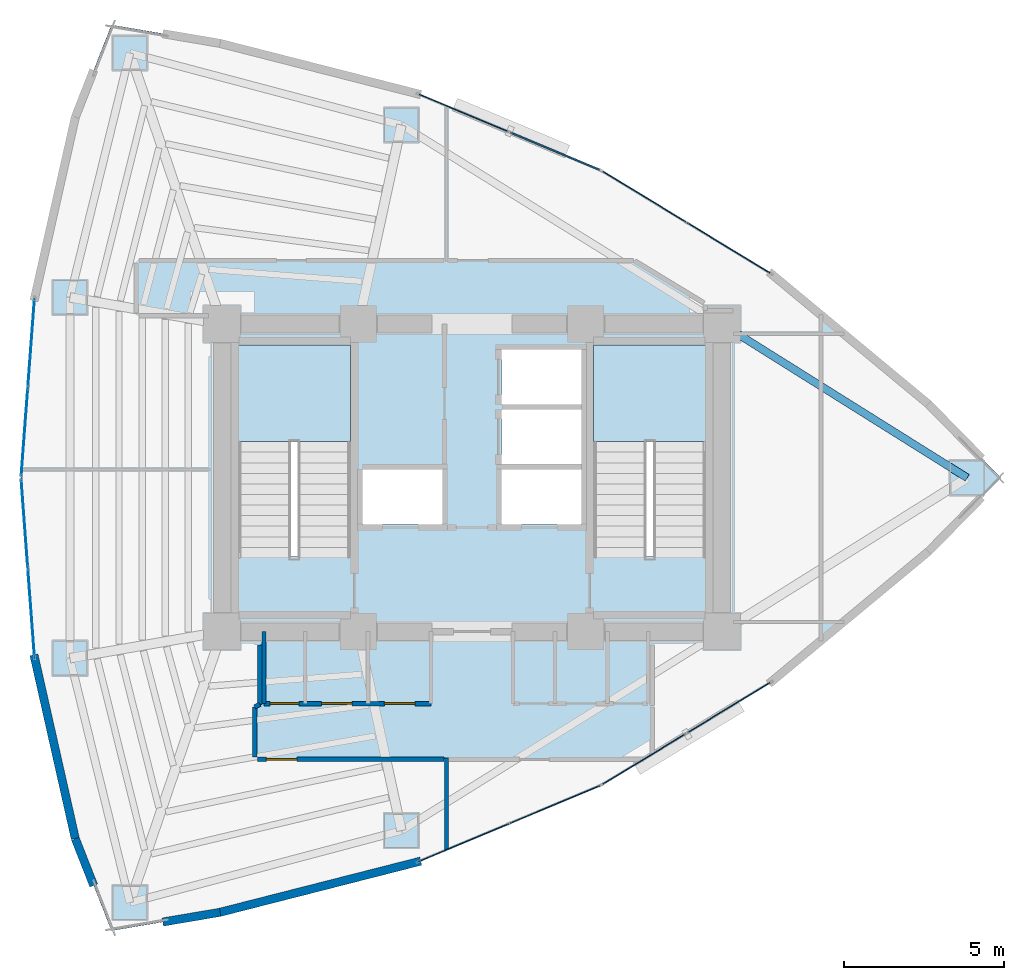
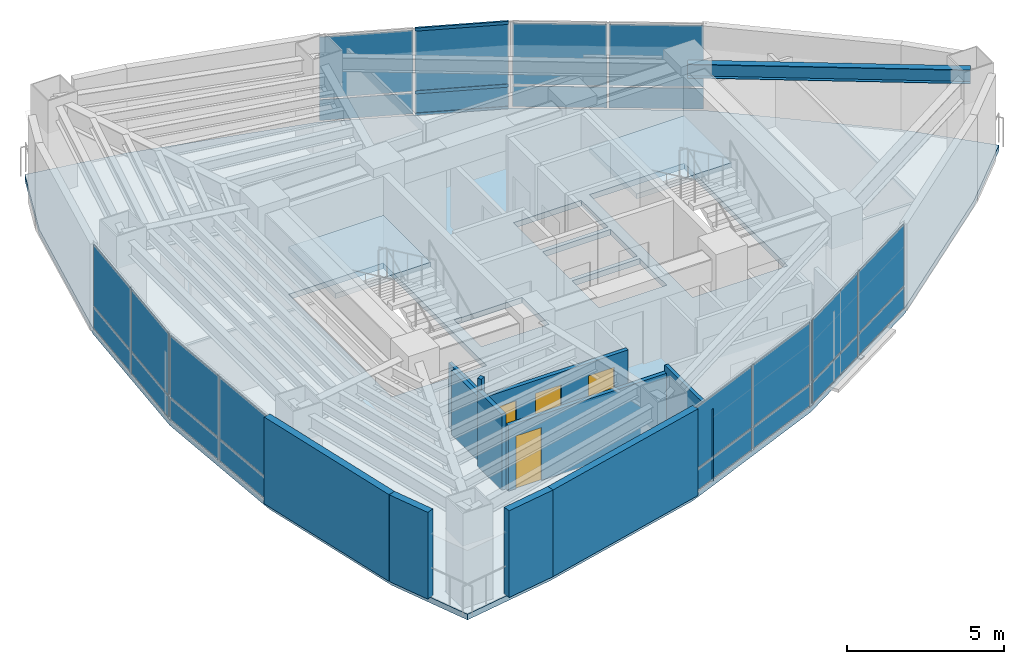
# One storey, part 10 of 15: 24 plates, 11 walls, 4 doors, 3 members, 3 slabs, 1 beam, 4 openings, 8 elements without a shape of their own.
"""IFC4 building model written with IfcOpenShell, lengths in metres."""

import ifcopenshell
import ifcopenshell.guid

model = None  # the IFC model being written
_history = None  # IfcOwnerHistory: only IFC2X3 demands one
_inside = {}  # id of a spatial element -> (the spatial element, [elements in it])
_under = {}  # id of a project, library or spatial element -> (it, [spatial elements below it])
_declared = {}  # id of a project -> (the project, [libraries it declares])
_typed = {}  # id of a type object -> (the type object, [elements of that type])
_made_of = {}  # id of a material, layer set ... -> (it, [elements and type objects made of it])


def new_model(schema):
    """Start an empty IFC model of exactly this schema.

    Asked for "IFC4X3", IfcOpenShell would pick the latest addendum, in which some entities
    have other attributes; the version numbers below select the first issue.
    IFC2X3 requires an IfcOwnerHistory on every rooted entity: one is made here for all.
    """
    global model, _history
    if schema == "IFC4X3":
        model = ifcopenshell.file(schema_version=(4, 3, 0, 0))
    else:
        model = ifcopenshell.file(schema=schema)
    _inside.clear()
    _under.clear()
    _declared.clear()
    _typed.clear()
    _made_of.clear()
    _history = None
    if model.schema == "IFC2X3":
        org = make("IfcOrganization", Name="unknown")
        user = make(
            "IfcPersonAndOrganization",
            ThePerson=make("IfcPerson", FamilyName="unknown"),
            TheOrganization=org,
        )
        app = make(
            "IfcApplication",
            ApplicationDeveloper=org,
            Version="unknown",
            ApplicationFullName="unknown",
            ApplicationIdentifier="unknown",
        )
        _history = make(
            "IfcOwnerHistory",
            OwningUser=user,
            OwningApplication=app,
            ChangeAction="ADDED",
            CreationDate=0,
        )
    return model


def make(cls, **values):
    """One entity of the class cls with the attributes given. An attribute that is None is left unset."""
    return model.create_entity(
        cls, **{name: value for name, value in values.items() if value is not None}
    )


def rooted(cls, **values):
    """An entity with a GlobalId (a new one), such as an element, a storey or a relation."""
    return make(cls, GlobalId=ifcopenshell.guid.new(), OwnerHistory=_history, **values)


def si_unit(unit_type, name, prefix=None):
    """IfcSIUnit, for example si_unit("LENGTHUNIT", "METRE", prefix="MILLI")."""
    return make("IfcSIUnit", UnitType=unit_type, Prefix=prefix, Name=name)


def assignment(units):
    """IfcUnitAssignment: the units of a project."""
    return None if units is None else make("IfcUnitAssignment", Units=units)


def point(xyz):
    """IfcCartesianPoint."""
    return None if xyz is None else make("IfcCartesianPoint", Coordinates=xyz)


def direction(xyz):
    """IfcDirection."""
    return None if xyz is None else make("IfcDirection", DirectionRatios=xyz)


def frame(location, z_axis=None, x_axis=None):
    """IfcAxis2Placement3D, a coordinate frame: its origin and axes. An axis left out is left unset."""
    return make(
        "IfcAxis2Placement3D",
        Location=point(location),
        Axis=direction(z_axis),
        RefDirection=direction(x_axis),
    )


def frame_2d(location, x_axis=None):
    """IfcAxis2Placement2D, a coordinate frame in the plane: its origin and x axis."""
    return make(
        "IfcAxis2Placement2D", Location=point(location), RefDirection=direction(x_axis)
    )


def origin():
    """The frame at (0, 0, 0) with its axes left unset."""
    return frame((0.0, 0.0, 0.0))


def origin_2d():
    """The frame at (0, 0) in the plane with its x axis left unset."""
    return frame_2d((0.0, 0.0))


def place(relative_to, where):
    """IfcLocalPlacement: puts the frame where relative to a parent placement (None: the world)."""
    return make(
        "IfcLocalPlacement", PlacementRelTo=relative_to, RelativePlacement=where
    )


def context(
    kind, dimensions, precision=None, world=None, true_north=None, identifier=None
):
    """IfcGeometricRepresentationContext, for example the 3D "Model" context."""
    return make(
        "IfcGeometricRepresentationContext",
        ContextIdentifier=identifier,
        ContextType=kind,
        CoordinateSpaceDimension=dimensions,
        Precision=precision,
        WorldCoordinateSystem=world,
        TrueNorth=true_north,
    )


def subcontext(parent, identifier, kind, view, scale=None):
    """IfcGeometricRepresentationSubContext, for example "Body" below "Model"."""
    return make(
        "IfcGeometricRepresentationSubContext",
        ContextIdentifier=identifier,
        ContextType=kind,
        ParentContext=parent,
        TargetScale=scale,
        TargetView=view,
    )


def project(units=None, contexts=None):
    """IfcProject with its units and contexts."""
    return rooted(
        "IfcProject",
        Name="project",
        RepresentationContexts=contexts,
        UnitsInContext=assignment(units),
    )


def spatial(cls, under=None, at=None, **own):
    """A site, building, storey or space (cls), placed at a placement, below another one or the project."""
    s = rooted(cls, ObjectPlacement=at, **own)
    if under is not None:
        _under.setdefault(under.id(), (under, []))[1].append(s)
    return s


def polyline(points):
    """IfcPolyline through the points."""
    return make("IfcPolyline", Points=[point(p) for p in points])


def profile(cls, at=None, kind="AREA", **sizes):
    """A parametric profile (cls). Its sizes go by their IFC names, for example OverallWidth=200.0."""
    return make(cls, ProfileType=kind, Position=at, **sizes)


def rectangle(**sizes):
    """IfcRectangleProfileDef."""
    return profile("IfcRectangleProfileDef", **sizes)


def hollow_rectangle(**sizes):
    """IfcRectangleHollowProfileDef."""
    return profile("IfcRectangleHollowProfileDef", **sizes)


def i_section(**sizes):
    """IfcIShapeProfileDef."""
    return profile("IfcIShapeProfileDef", **sizes)


def outline(outer, holes=None, kind="AREA"):
    """IfcArbitraryClosedProfileDef: a profile drawn as a closed curve; with holes, ...WithVoids."""
    if holes is None:
        return make("IfcArbitraryClosedProfileDef", ProfileType=kind, OuterCurve=outer)
    return make(
        "IfcArbitraryProfileDefWithVoids",
        ProfileType=kind,
        OuterCurve=outer,
        InnerCurves=holes,
    )


def extrude(swept, where, along, depth):
    """IfcExtrudedAreaSolid: the profile swept, set in the frame where, extruded along a direction by depth."""
    return make(
        "IfcExtrudedAreaSolid",
        SweptArea=swept,
        Position=where,
        ExtrudedDirection=direction(along),
        Depth=depth,
    )


def shape(context_of_items, identifier, shape_type, items):
    """IfcShapeRepresentation: the items that make up one representation, for example the "Body"."""
    return make(
        "IfcShapeRepresentation",
        ContextOfItems=context_of_items,
        RepresentationIdentifier=identifier,
        RepresentationType=shape_type,
        Items=items,
    )


def material(Name=None, Category=None):
    """IfcMaterial."""
    return make("IfcMaterial", Name=Name, Category=Category)


def layer(
    of_material, thickness, ventilated=None, Name=None, Category=None, Priority=None
):
    """IfcMaterialLayer: one layer of a wall or slab, of a material (None: an air gap)."""
    return make(
        "IfcMaterialLayer",
        Material=of_material,
        LayerThickness=thickness,
        IsVentilated=ventilated,
        Name=Name,
        Category=Category,
        Priority=Priority,
    )


def layer_set(layers, Name=None):
    """IfcMaterialLayerSet."""
    return make("IfcMaterialLayerSet", MaterialLayers=layers, LayerSetName=Name)


def material_profile(
    of_material, cross_section, Name=None, Category=None, Priority=None
):
    """IfcMaterialProfile: a cross section and its material."""
    return make(
        "IfcMaterialProfile",
        Name=Name,
        Material=of_material,
        Profile=cross_section,
        Priority=Priority,
        Category=Category,
    )


def profile_set(profiles, Name=None, composite=None):
    """IfcMaterialProfileSet."""
    return make(
        "IfcMaterialProfileSet",
        Name=Name,
        MaterialProfiles=profiles,
        CompositeProfile=composite,
    )


def made_of(thing, what):
    """Note that an element or type object is made of a material, layer set ...; save() writes the relation."""
    if what is not None:
        _made_of.setdefault(what.id(), (what, []))[1].append(thing)
    return thing


def type_object(cls, material=None, **own):
    """A type object (cls), such as IfcWallType, which elements share."""
    return made_of(rooted(cls, **own), material)


def element(
    cls,
    number,
    at=None,
    inside=None,
    cuts=None,
    type_object=None,
    material=None,
    context=None,
    identifier="Body",
    shape_type=None,
    held_by="IfcProductDefinitionShape",
    body=None,
    shapes=None,
    **own,
):
    """One element of the class cls, such as IfcWall. Its Tag is "e" and its number.

    at: its placement. inside: the storey or other place that contains it. cuts: it is an
    opening in that element (IfcRelVoidsElement). A single representation is given by context,
    identifier, shape_type and body (its items); several are given by shapes. held_by: the class
    of the entity that holds the representations. save() writes the other relations.
    """
    e = rooted(cls, Tag="e%d" % number, ObjectPlacement=at, **own)
    if body is not None:
        shapes = [shape(context, identifier, shape_type, body)]
    if shapes is not None:
        e.Representation = make(held_by, Representations=shapes)
    if inside is not None:
        _inside.setdefault(inside.id(), (inside, []))[1].append(e)
    if cuts is not None:
        rooted(
            "IfcRelVoidsElement", RelatingBuildingElement=cuts, RelatedOpeningElement=e
        )
    if type_object is not None:
        _typed.setdefault(type_object.id(), (type_object, []))[1].append(e)
    return made_of(e, material)


def fill(opening, filler):
    """IfcRelFillsElement: the door or window that sits in an opening."""
    return rooted(
        "IfcRelFillsElement",
        RelatingOpeningElement=opening,
        RelatedBuildingElement=filler,
    )


def aggregate(whole, parts):
    """IfcRelAggregates: a whole, such as a stair, and the parts it consists of."""
    return rooted("IfcRelAggregates", RelatingObject=whole, RelatedObjects=parts)


def save(model, path):
    """Write the relations noted so far, then the file.

    IfcRelAggregates (storeys below a building ...), IfcRelContainedInSpatialStructure (elements
    in a storey), IfcRelDefinesByType, IfcRelAssociatesMaterial and IfcRelDeclares: one each for
    every whole, place, type object, material and project.
    """
    for whole, parts in _under.values():
        aggregate(whole, parts)
    for where, things in _inside.values():
        rooted(
            "IfcRelContainedInSpatialStructure",
            RelatedElements=things,
            RelatingStructure=where,
        )
    for kind, things in _typed.values():
        rooted("IfcRelDefinesByType", RelatedObjects=things, RelatingType=kind)
    for what, things in _made_of.values():
        rooted("IfcRelAssociatesMaterial", RelatedObjects=things, RelatingMaterial=what)
    for by, libraries in _declared.values():
        rooted("IfcRelDeclares", RelatingContext=by, RelatedDefinitions=libraries)
    model.write(path)


model = new_model("IFC4")

# Units and contexts
model_context = context("Model", 3, precision=1e-05, world=origin(), true_north=direction((0.0, 1.0)))
body_context = subcontext(model_context, "Body", "Model", "MODEL_VIEW")
ifc_project = project(units=[si_unit("LENGTHUNIT", "METRE"), si_unit("AREAUNIT", "SQUARE_METRE"), si_unit("VOLUMEUNIT", "CUBIC_METRE"), si_unit("PLANEANGLEUNIT", "RADIAN"), si_unit("MASSUNIT", "GRAM", prefix="KILO")], contexts=[model_context])

# Site, building, storey
site_placement = place(None, origin())
site = spatial("IfcSite", under=ifc_project, at=site_placement, CompositionType="ELEMENT")
building_placement = place(site_placement, origin())
building = spatial("IfcBuilding", under=site, at=building_placement, Name="Menara Vayukalpa", CompositionType="ELEMENT")
storey_placement = place(building_placement, frame((0.0, 0.0, 144.89990234375)))
storey = spatial("IfcBuildingStorey", under=building, at=storey_placement, Name="L36", CompositionType="ELEMENT", Elevation=144.89990234375)

# Beam
ifc_material_1 = material(Name="Steel S355", Category="steel")
ifc_material_profile_1 = material_profile(ifc_material_1, i_section(OverallWidth=0.239990234375, OverallDepth=0.550048828125, WebThickness=0.010986328125, FlangeThickness=0.01904296875, at=origin_2d()), Name="WF 550x240x11x19")
ifc_profile_set_1 = profile_set([ifc_material_profile_1], Name="Steel S355")
beam_type = type_object("IfcBeamType", Name="BM-SP2", PredefinedType="SPANDREL", material=ifc_profile_set_1)
beam_placement = place(storey_placement, frame((41.05908203125, 22.0, 3.10498046875), z_axis=(-0.847348220701, 0.531037656739, 0.0), x_axis=(-0.531037656739, -0.847348220701, 0.0)))
element("IfcBeam", 1, at=beam_placement, inside=storey, type_object=beam_type, Name="L36 Perimeter Spandrel Beam SP01", PredefinedType="SPANDREL", context=body_context, shape_type="SweptSolid", body=[
    extrude(i_section(OverallWidth=0.239990234375, OverallDepth=0.550048828125, WebThickness=0.010986328125, FlangeThickness=0.01904296875, at=origin_2d()), origin(), (0.0, 0.0, 1.0), 9.0390625),
])

# Curtain wall, members
ifc_material_2 = material(Name="Anodised Terracotta Aluminium Alloy 6063-T6", Category="masonry")
ifc_layer_1 = layer(ifc_material_2, 0.14990234375)
ifc_layer_set_1 = layer_set([ifc_layer_1], Name="Anodised Terracotta Aluminium Alloy 6063-T6")
curtain_wall_type = type_object("IfcCurtainWallType", Name="CW-CW3", PredefinedType="USERDEFINED", material=ifc_layer_set_1)
curtain_wall_1_placement = place(storey_placement, origin())
curtain_wall_1 = element("IfcCurtainWall", 2, at=curtain_wall_1_placement, inside=storey, type_object=curtain_wall_type, Name="L36 Mid Rise Terracotta Ribbon Curtain Wall CW3 05", ObjectType="UNITISED", PredefinedType="USERDEFINED")
ifc_material_3 = material(Name="Anodised Terracotta Aluminium Alloy 6063-T6", Category="masonry")
ifc_material_profile_2 = material_profile(ifc_material_3, hollow_rectangle(XDim=0.06494140625, YDim=0.1201171875, WallThickness=0.00341796875, at=origin_2d()), Name="ALU 65x120x3.5")
ifc_profile_set_2 = profile_set([ifc_material_profile_2], Name="Anodised Terracotta Aluminium Alloy 6063-T6")
member_type = type_object("IfcMemberType", Name="CWT-CW3", PredefinedType="USERDEFINED", material=ifc_profile_set_2)
member_1_placement = place(storey_placement, frame((29.57666015625, 31.615966796875, 0.03271484375), z_axis=(-0.922529540739, 0.385926478054, 0.0), x_axis=(-0.385926478054, -0.922529540739, 0.0)))
member_1 = element("IfcMember", 3, at=member_1_placement, type_object=member_type, Name="CW3 transom 1.1", ObjectType="TRANSOM", PredefinedType="USERDEFINED", context=body_context, shape_type="SweptSolid", body=[
    extrude(hollow_rectangle(XDim=0.06494140625, YDim=0.1201171875, WallThickness=0.00341796875, at=origin_2d()), origin(), (0.0, 0.0, 1.0), 3.013671875),
])
member_2_placement = place(storey_placement, frame((29.57666015625, 31.615966796875, 0.900146484375), z_axis=(-0.922529540739, 0.385926478054, 0.0), x_axis=(-0.385926478054, -0.922529540739, 0.0)))
member_2 = element("IfcMember", 4, at=member_2_placement, type_object=member_type, Name="CW3 transom 1.2", ObjectType="TRANSOM", PredefinedType="USERDEFINED", context=body_context, shape_type="SweptSolid", body=[
    extrude(hollow_rectangle(XDim=0.06494140625, YDim=0.1201171875, WallThickness=0.00341796875, at=origin_2d()), origin(), (0.0, 0.0, 1.0), 3.013671875),
])
member_3_placement = place(storey_placement, frame((29.57666015625, 31.615966796875, 3.34765625), z_axis=(-0.922529540739, 0.385926478054, 0.0), x_axis=(-0.385926478054, -0.922529540739, 0.0)))
member_3 = element("IfcMember", 5, at=member_3_placement, type_object=member_type, Name="CW3 transom 1.3", ObjectType="TRANSOM", PredefinedType="USERDEFINED", context=body_context, shape_type="SweptSolid", body=[
    extrude(hollow_rectangle(XDim=0.06494140625, YDim=0.1201171875, WallThickness=0.00341796875, at=origin_2d()), origin(), (0.0, 0.0, 1.0), 3.013671875),
])

# Curtain wall, plates
curtain_wall_2_placement = place(storey_placement, origin())
curtain_wall_2 = element("IfcCurtainWall", 6, at=curtain_wall_2_placement, inside=storey, type_object=curtain_wall_type, Name="L36 Mid Rise Terracotta Ribbon Curtain Wall CW3 04", ObjectType="UNITISED", PredefinedType="USERDEFINED")
ifc_material_4 = material(Name="Low-E Double Glazing", Category="glass")
ifc_layer_2 = layer(ifc_material_4, 0.030029296875)
ifc_layer_set_2 = layer_set([ifc_layer_2], Name="Low-E Double Glazing")
plate_type = type_object("IfcPlateType", Name="CWP-CW3", PredefinedType="CURTAIN_PANEL", material=ifc_layer_set_2)
plate_1_placement = place(storey_placement, frame((33.611328125, 29.176513671875, 0.06494140625), z_axis=(0.0, 0.0, 1.0), x_axis=(-0.854655342409, 0.519195768176, 0.0)))
plate_1 = element("IfcPlate", 7, at=plate_1_placement, type_object=plate_type, Name="CW3 panel 1.1", PredefinedType="CURTAIN_PANEL", context=body_context, shape_type="SweptSolid", body=[
    extrude(rectangle(XDim=3.013671875, YDim=0.030029296875, at=origin_2d()), origin(), (0.0, 0.0, 1.0), 0.802490234375),
])
plate_2_placement = place(storey_placement, frame((33.611328125, 29.176513671875, 0.9326171875), z_axis=(0.0, 0.0, 1.0), x_axis=(-0.854655342409, 0.519195768176, 0.0)))
plate_2 = element("IfcPlate", 8, at=plate_2_placement, type_object=plate_type, Name="CW3 panel 1.2", PredefinedType="CURTAIN_PANEL", context=body_context, shape_type="SweptSolid", body=[
    extrude(rectangle(XDim=3.013671875, YDim=0.030029296875, at=origin_2d()), origin(), (0.0, 0.0, 1.0), 2.382568359375),
])
plate_3_placement = place(storey_placement, frame((30.980224609375, 30.77490234375, 0.06494140625), z_axis=(0.0, 0.0, 1.0), x_axis=(-0.854655342409, 0.519195768176, 0.0)))
plate_3 = element("IfcPlate", 9, at=plate_3_placement, type_object=plate_type, Name="CW3 panel 2.1", PredefinedType="CURTAIN_PANEL", context=body_context, shape_type="SweptSolid", body=[
    extrude(rectangle(XDim=3.013671875, YDim=0.030029296875, at=origin_2d()), origin(), (0.0, 0.0, 1.0), 0.802490234375),
])
plate_4_placement = place(storey_placement, frame((30.980224609375, 30.77490234375, 0.9326171875), z_axis=(0.0, 0.0, 1.0), x_axis=(-0.854655342409, 0.519195768176, 0.0)))
plate_4 = element("IfcPlate", 10, at=plate_4_placement, type_object=plate_type, Name="CW3 panel 2.2", PredefinedType="CURTAIN_PANEL", context=body_context, shape_type="SweptSolid", body=[
    extrude(rectangle(XDim=3.013671875, YDim=0.030029296875, at=origin_2d()), origin(), (0.0, 0.0, 1.0), 2.382568359375),
])
aggregate(curtain_wall_2, [plate_1, plate_2, plate_3, plate_4])

# Plate
plate_5_placement = place(storey_placement, frame((28.1865234375, 32.197509765625, 0.06494140625), z_axis=(0.0, 0.0, 1.0), x_axis=(-0.922546385056, 0.385886210456, 0.0)))
plate_5 = element("IfcPlate", 11, at=plate_5_placement, type_object=plate_type, Name="CW3 panel 1.1", PredefinedType="CURTAIN_PANEL", context=body_context, shape_type="SweptSolid", body=[
    extrude(rectangle(XDim=3.013671875, YDim=0.030029296875, at=origin_2d()), origin(), (0.0, 0.0, 1.0), 0.802490234375),
])

plate_6_placement = place(storey_placement, frame((28.1865234375, 32.197509765625, 0.9326171875), z_axis=(0.0, 0.0, 1.0), x_axis=(-0.922546385056, 0.385886210456, 0.0)))
plate_6 = element("IfcPlate", 12, at=plate_6_placement, type_object=plate_type, Name="CW3 panel 1.2", PredefinedType="CURTAIN_PANEL", context=body_context, shape_type="SweptSolid", body=[
    extrude(rectangle(XDim=3.013671875, YDim=0.030029296875, at=origin_2d()), origin(), (0.0, 0.0, 1.0), 2.382568359375),
])

plate_7_placement = place(storey_placement, frame((25.34619140625, 33.3857421875, 0.06494140625), z_axis=(0.0, 0.0, 1.0), x_axis=(-0.922546385056, 0.385886210456, 0.0)))
plate_7 = element("IfcPlate", 13, at=plate_7_placement, type_object=plate_type, Name="CW3 panel 2.1", PredefinedType="CURTAIN_PANEL", context=body_context, shape_type="SweptSolid", body=[
    extrude(rectangle(XDim=3.013671875, YDim=0.030029296875, at=origin_2d()), origin(), (0.0, 0.0, 1.0), 0.802490234375),
])

plate_8_placement = place(storey_placement, frame((25.34619140625, 33.3857421875, 0.9326171875), z_axis=(0.0, 0.0, 1.0), x_axis=(-0.922546385056, 0.385886210456, 0.0)))
plate_8 = element("IfcPlate", 14, at=plate_8_placement, type_object=plate_type, Name="CW3 panel 2.2", PredefinedType="CURTAIN_PANEL", context=body_context, shape_type="SweptSolid", body=[
    extrude(rectangle(XDim=3.013671875, YDim=0.030029296875, at=origin_2d()), origin(), (0.0, 0.0, 1.0), 2.382568359375),
])

aggregate(curtain_wall_1, [member_1, member_2, member_3, plate_5, plate_6, plate_7, plate_8])

# Curtain wall, plates
curtain_wall_3_placement = place(storey_placement, origin())
curtain_wall_3 = element("IfcCurtainWall", 15, at=curtain_wall_3_placement, inside=storey, type_object=curtain_wall_type, Name="L36 Mid Rise Terracotta Ribbon Curtain Wall CW3 10", ObjectType="UNITISED", PredefinedType="USERDEFINED")
plate_9_placement = place(storey_placement, frame((11.84228515625, 26.207763671875, 0.06494140625), z_axis=(0.0, 0.0, 1.0), x_axis=(-0.074792589364, -0.997199111801, 0.0)))
plate_9 = element("IfcPlate", 16, at=plate_9_placement, type_object=plate_type, Name="CW3 panel 1.1", PredefinedType="CURTAIN_PANEL", context=body_context, shape_type="SweptSolid", body=[
    extrude(rectangle(XDim=2.726318359375, YDim=0.030029296875, at=origin_2d()), origin(), (0.0, 0.0, 1.0), 0.802490234375),
])
plate_10_placement = place(storey_placement, frame((11.84228515625, 26.207763671875, 0.9326171875), z_axis=(0.0, 0.0, 1.0), x_axis=(-0.074792589364, -0.997199111801, 0.0)))
plate_10 = element("IfcPlate", 17, at=plate_10_placement, type_object=plate_type, Name="CW3 panel 1.2", PredefinedType="CURTAIN_PANEL", context=body_context, shape_type="SweptSolid", body=[
    extrude(rectangle(XDim=2.726318359375, YDim=0.030029296875, at=origin_2d()), origin(), (0.0, 0.0, 1.0), 2.382568359375),
])
plate_11_placement = place(storey_placement, frame((11.633544921875, 23.424072265625, 0.06494140625), z_axis=(0.0, 0.0, 1.0), x_axis=(-0.074792589364, -0.997199111801, 0.0)))
plate_11 = element("IfcPlate", 18, at=plate_11_placement, type_object=plate_type, Name="CW3 panel 2.1", PredefinedType="CURTAIN_PANEL", context=body_context, shape_type="SweptSolid", body=[
    extrude(rectangle(XDim=2.726318359375, YDim=0.030029296875, at=origin_2d()), origin(), (0.0, 0.0, 1.0), 0.802490234375),
])
plate_12_placement = place(storey_placement, frame((11.633544921875, 23.424072265625, 0.9326171875), z_axis=(0.0, 0.0, 1.0), x_axis=(-0.074792589364, -0.997199111801, 0.0)))
plate_12 = element("IfcPlate", 19, at=plate_12_placement, type_object=plate_type, Name="CW3 panel 2.2", PredefinedType="CURTAIN_PANEL", context=body_context, shape_type="SweptSolid", body=[
    extrude(rectangle(XDim=2.726318359375, YDim=0.030029296875, at=origin_2d()), origin(), (0.0, 0.0, 1.0), 2.382568359375),
])
aggregate(curtain_wall_3, [plate_9, plate_10, plate_11, plate_12])

curtain_wall_4_placement = place(storey_placement, origin())
curtain_wall_4 = element("IfcCurtainWall", 20, at=curtain_wall_4_placement, inside=storey, type_object=curtain_wall_type, Name="L36 Mid Rise Terracotta Ribbon Curtain Wall CW3 11", ObjectType="UNITISED", PredefinedType="USERDEFINED")
plate_13_placement = place(storey_placement, frame((11.633544921875, 20.575927734375, 0.06494140625), z_axis=(0.0, 0.0, 1.0), x_axis=(0.074792589364, -0.997199111801, 0.0)))
plate_13 = element("IfcPlate", 21, at=plate_13_placement, type_object=plate_type, Name="CW3 panel 1.1", PredefinedType="CURTAIN_PANEL", context=body_context, shape_type="SweptSolid", body=[
    extrude(rectangle(XDim=2.726318359375, YDim=0.030029296875, at=origin_2d()), origin(), (0.0, 0.0, 1.0), 0.802490234375),
])
plate_14_placement = place(storey_placement, frame((11.633544921875, 20.575927734375, 0.9326171875), z_axis=(0.0, 0.0, 1.0), x_axis=(0.074792589364, -0.997199111801, 0.0)))
plate_14 = element("IfcPlate", 22, at=plate_14_placement, type_object=plate_type, Name="CW3 panel 1.2", PredefinedType="CURTAIN_PANEL", context=body_context, shape_type="SweptSolid", body=[
    extrude(rectangle(XDim=2.726318359375, YDim=0.030029296875, at=origin_2d()), origin(), (0.0, 0.0, 1.0), 2.382568359375),
])
plate_15_placement = place(storey_placement, frame((11.84228515625, 17.792236328125, 0.06494140625), z_axis=(0.0, 0.0, 1.0), x_axis=(0.074792589364, -0.997199111801, 0.0)))
plate_15 = element("IfcPlate", 23, at=plate_15_placement, type_object=plate_type, Name="CW3 panel 2.1", PredefinedType="CURTAIN_PANEL", context=body_context, shape_type="SweptSolid", body=[
    extrude(rectangle(XDim=2.726318359375, YDim=0.030029296875, at=origin_2d()), origin(), (0.0, 0.0, 1.0), 0.802490234375),
])
plate_16_placement = place(storey_placement, frame((11.84228515625, 17.792236328125, 0.9326171875), z_axis=(0.0, 0.0, 1.0), x_axis=(0.074792589364, -0.997199111801, 0.0)))
plate_16 = element("IfcPlate", 24, at=plate_16_placement, type_object=plate_type, Name="CW3 panel 2.2", PredefinedType="CURTAIN_PANEL", context=body_context, shape_type="SweptSolid", body=[
    extrude(rectangle(XDim=2.726318359375, YDim=0.030029296875, at=origin_2d()), origin(), (0.0, 0.0, 1.0), 2.382568359375),
])
aggregate(curtain_wall_4, [plate_13, plate_14, plate_15, plate_16])

curtain_wall_5_placement = place(storey_placement, origin())
curtain_wall_5 = element("IfcCurtainWall", 25, at=curtain_wall_5_placement, inside=storey, type_object=curtain_wall_type, Name="L36 Mid Rise Terracotta Ribbon Curtain Wall CW3 16", ObjectType="UNITISED", PredefinedType="USERDEFINED")
plate_17_placement = place(storey_placement, frame((25.34619140625, 10.6142578125, 0.06494140625), z_axis=(0.0, 0.0, 1.0), x_axis=(0.922546385056, 0.385886210456, 0.0)))
plate_17 = element("IfcPlate", 26, at=plate_17_placement, type_object=plate_type, Name="CW3 panel 1.1", PredefinedType="CURTAIN_PANEL", context=body_context, shape_type="SweptSolid", body=[
    extrude(rectangle(XDim=3.013671875, YDim=0.030029296875, at=origin_2d()), origin(), (0.0, 0.0, 1.0), 0.802490234375),
])
plate_18_placement = place(storey_placement, frame((25.34619140625, 10.6142578125, 0.9326171875), z_axis=(0.0, 0.0, 1.0), x_axis=(0.922546385056, 0.385886210456, 0.0)))
plate_18 = element("IfcPlate", 27, at=plate_18_placement, type_object=plate_type, Name="CW3 panel 1.2", PredefinedType="CURTAIN_PANEL", context=body_context, shape_type="SweptSolid", body=[
    extrude(rectangle(XDim=3.013671875, YDim=0.030029296875, at=origin_2d()), origin(), (0.0, 0.0, 1.0), 2.382568359375),
])
plate_19_placement = place(storey_placement, frame((28.1865234375, 11.802490234375, 0.06494140625), z_axis=(0.0, 0.0, 1.0), x_axis=(0.922546385056, 0.385886210456, 0.0)))
plate_19 = element("IfcPlate", 28, at=plate_19_placement, type_object=plate_type, Name="CW3 panel 2.1", PredefinedType="CURTAIN_PANEL", context=body_context, shape_type="SweptSolid", body=[
    extrude(rectangle(XDim=3.013671875, YDim=0.030029296875, at=origin_2d()), origin(), (0.0, 0.0, 1.0), 0.802490234375),
])
plate_20_placement = place(storey_placement, frame((28.1865234375, 11.802490234375, 0.9326171875), z_axis=(0.0, 0.0, 1.0), x_axis=(0.922546385056, 0.385886210456, 0.0)))
plate_20 = element("IfcPlate", 29, at=plate_20_placement, type_object=plate_type, Name="CW3 panel 2.2", PredefinedType="CURTAIN_PANEL", context=body_context, shape_type="SweptSolid", body=[
    extrude(rectangle(XDim=3.013671875, YDim=0.030029296875, at=origin_2d()), origin(), (0.0, 0.0, 1.0), 2.382568359375),
])
aggregate(curtain_wall_5, [plate_17, plate_18, plate_19, plate_20])

curtain_wall_6_placement = place(storey_placement, origin())
curtain_wall_6 = element("IfcCurtainWall", 30, at=curtain_wall_6_placement, inside=storey, type_object=curtain_wall_type, Name="L36 Mid Rise Terracotta Ribbon Curtain Wall CW3 17", ObjectType="UNITISED", PredefinedType="USERDEFINED")
plate_21_placement = place(storey_placement, frame((30.980224609375, 13.22509765625, 0.06494140625), z_axis=(0.0, 0.0, 1.0), x_axis=(0.854655342409, 0.519195768176, 0.0)))
plate_21 = element("IfcPlate", 31, at=plate_21_placement, type_object=plate_type, Name="CW3 panel 1.1", PredefinedType="CURTAIN_PANEL", context=body_context, shape_type="SweptSolid", body=[
    extrude(rectangle(XDim=3.013671875, YDim=0.030029296875, at=origin_2d()), origin(), (0.0, 0.0, 1.0), 0.802490234375),
])
plate_22_placement = place(storey_placement, frame((30.980224609375, 13.22509765625, 0.9326171875), z_axis=(0.0, 0.0, 1.0), x_axis=(0.854655342409, 0.519195768176, 0.0)))
plate_22 = element("IfcPlate", 32, at=plate_22_placement, type_object=plate_type, Name="CW3 panel 1.2", PredefinedType="CURTAIN_PANEL", context=body_context, shape_type="SweptSolid", body=[
    extrude(rectangle(XDim=3.013671875, YDim=0.030029296875, at=origin_2d()), origin(), (0.0, 0.0, 1.0), 2.382568359375),
])
plate_23_placement = place(storey_placement, frame((33.611328125, 14.823486328125, 0.06494140625), z_axis=(0.0, 0.0, 1.0), x_axis=(0.854655342409, 0.519195768176, 0.0)))
plate_23 = element("IfcPlate", 33, at=plate_23_placement, type_object=plate_type, Name="CW3 panel 2.1", PredefinedType="CURTAIN_PANEL", context=body_context, shape_type="SweptSolid", body=[
    extrude(rectangle(XDim=3.013671875, YDim=0.030029296875, at=origin_2d()), origin(), (0.0, 0.0, 1.0), 0.802490234375),
])
plate_24_placement = place(storey_placement, frame((33.611328125, 14.823486328125, 0.9326171875), z_axis=(0.0, 0.0, 1.0), x_axis=(0.854655342409, 0.519195768176, 0.0)))
plate_24 = element("IfcPlate", 34, at=plate_24_placement, type_object=plate_type, Name="CW3 panel 2.2", PredefinedType="CURTAIN_PANEL", context=body_context, shape_type="SweptSolid", body=[
    extrude(rectangle(XDim=3.013671875, YDim=0.030029296875, at=origin_2d()), origin(), (0.0, 0.0, 1.0), 2.382568359375),
])
aggregate(curtain_wall_6, [plate_21, plate_22, plate_23, plate_24])

# Slab
ifc_material_5 = material(Name="Concrete C40/50", Category="concrete")
ifc_layer_3 = layer(ifc_material_5, 0.219970703125)
ifc_layer_set_3 = layer_set([ifc_layer_3], Name="Concrete C40/50")
slab_type_1 = type_object("IfcSlabType", Name="SLB-FL220", PredefinedType="FLOOR", material=ifc_layer_set_3)
slab_1_placement = place(storey_placement, frame((0.0, 0.0, -0.219970703125)))
element("IfcSlab", 35, at=slab_1_placement, inside=storey, type_object=slab_type_1, Name="L36 Structural Floor Slab", PredefinedType="FLOOR", context=body_context, shape_type="SweptSolid", body=[
    extrude(outline(polyline([(39.8505859375, 19.69970703125), (42.109130859375, 22.0), (39.8505859375, 24.30029296875), (34.954833984375, 28.3603515625), (29.63671875, 31.591064453125), (23.89599609375, 33.9921875), (17.733154296875, 35.56396484375), (14.345458984375, 36.13916015625), (13.21630859375, 33.263671875), (11.94921875, 27.6318359375), (11.526611328125, 22.0), (11.94921875, 16.3681640625), (13.21630859375, 10.736328125), (14.345458984375, 7.86083984375), (17.733154296875, 8.43603515625), (23.89599609375, 10.0078125), (29.63671875, 12.408935546875), (34.954833984375, 15.6396484375), (39.8505859375, 19.69970703125)]), holes=[polyline([(21.800048828125, 19.550048828125), (21.800048828125, 26.14990234375), (18.300048828125, 26.14990234375), (18.300048828125, 19.550048828125), (21.800048828125, 19.550048828125)]), polyline([(32.89990234375, 19.550048828125), (32.89990234375, 26.14990234375), (29.39990234375, 26.14990234375), (29.39990234375, 19.550048828125), (32.89990234375, 19.550048828125)]), polyline([(22.179931640625, 20.550048828125), (24.679931640625, 20.550048828125), (24.679931640625, 22.27001953125), (22.179931640625, 22.27001953125), (22.179931640625, 20.550048828125)]), polyline([(26.52001953125, 20.550048828125), (29.02001953125, 20.550048828125), (29.02001953125, 22.27001953125), (26.52001953125, 22.27001953125), (26.52001953125, 20.550048828125)]), polyline([(26.52001953125, 24.2900390625), (29.02001953125, 24.2900390625), (29.02001953125, 26.010009765625), (26.52001953125, 26.010009765625), (26.52001953125, 24.2900390625)]), polyline([(26.52001953125, 22.419921875), (29.02001953125, 22.419921875), (29.02001953125, 24.139892578125), (26.52001953125, 24.139892578125), (26.52001953125, 22.419921875)])]), origin(), (0.0, 0.0, 1.0), 0.219970703125),
])

# Stair, slab
ifc_material_6 = material(Name="Precast Concrete C40/50", Category="concrete")
stair_type = type_object("IfcStairType", Name="STR-T04", PredefinedType="DOUBLE_RETURN_STAIR", material=ifc_material_6)
stair_1_placement = place(storey_placement, origin())
stair_1 = element("IfcStair", 36, at=stair_1_placement, inside=storey, type_object=stair_type, Name="L36 Core Exit Stair ST-1", PredefinedType="DOUBLE_RETURN_STAIR")
ifc_material_7 = material(Name="Precast Concrete C40/50", Category="concrete")
ifc_layer_4 = layer(ifc_material_7, 0.199951171875)
ifc_layer_set_4 = layer_set([ifc_layer_4], Name="Precast Concrete C40/50")
slab_type_2 = type_object("IfcSlabType", Name="SLB-LND200", PredefinedType="LANDING", material=ifc_layer_set_4)
slab_2_placement = place(storey_placement, frame((0.0, 0.0, 1.66015625)))
slab_2 = element("IfcSlab", 37, at=slab_2_placement, type_object=slab_type_2, Name="ST-1 landing 1", PredefinedType="LANDING", context=body_context, shape_type="SweptSolid", body=[
    extrude(outline(polyline([(21.800048828125, 23.1298828125), (21.800048828125, 26.14990234375), (18.300048828125, 26.14990234375), (18.300048828125, 23.1298828125), (21.800048828125, 23.1298828125)])), origin(), (0.0, 0.0, 1.0), 0.199951171875),
])
aggregate(stair_1, [slab_2])

stair_2_placement = place(storey_placement, origin())
stair_2 = element("IfcStair", 38, at=stair_2_placement, inside=storey, type_object=stair_type, Name="L36 Core Exit Stair ST-2", PredefinedType="DOUBLE_RETURN_STAIR")
slab_3_placement = place(storey_placement, frame((0.0, 0.0, 1.66015625)))
slab_3 = element("IfcSlab", 39, at=slab_3_placement, type_object=slab_type_2, Name="ST-2 landing 1", PredefinedType="LANDING", context=body_context, shape_type="SweptSolid", body=[
    extrude(outline(polyline([(32.89990234375, 23.1298828125), (32.89990234375, 26.14990234375), (29.39990234375, 26.14990234375), (29.39990234375, 23.1298828125), (32.89990234375, 23.1298828125)])), origin(), (0.0, 0.0, 1.0), 0.199951171875),
])
aggregate(stair_2, [slab_3])

# Walls
ifc_material_8 = material(Name="Insulated Precast Concrete C40/50", Category="concrete")
ifc_layer_5 = layer(ifc_material_8, 0.260009765625)
ifc_layer_set_5 = layer_set([ifc_layer_5], Name="Insulated Precast Concrete C40/50")
wall_type_1 = type_object("IfcWallType", Name="WAL-EXT260", PredefinedType="PARTITIONING", material=ifc_layer_set_5)
wall_1_placement = place(storey_placement, frame((13.21630859375, 10.736328125, 0.0), z_axis=(0.0, 0.0, 1.0), x_axis=(-0.219500344647, 0.975612422379, 0.0)))
element("IfcWall", 40, at=wall_1_placement, inside=storey, type_object=wall_type_1, Name="L36 Perimeter Terracotta Pier Wall 12", PredefinedType="PARTITIONING", context=body_context, shape_type="SweptSolid", body=[
    extrude(rectangle(XDim=5.8828125, YDim=0.260009765625, at=frame_2d((2.94140625, 0.0))), origin(), (0.0, 0.0, 1.0), 3.380126953125),
])
wall_2_placement = place(storey_placement, frame((13.790771484375, 9.2734375, 0.0), z_axis=(0.0, 0.0, 1.0), x_axis=(-0.365517796794, 0.930804351207, 0.0)))
element("IfcWall", 41, at=wall_2_placement, inside=storey, type_object=wall_type_1, Name="L36 Perimeter Terracotta Pier Wall 13", PredefinedType="PARTITIONING", context=body_context, shape_type="SweptSolid", body=[
    extrude(rectangle(XDim=1.571533203125, YDim=0.260009765625, at=frame_2d((0.78564453125, 0.0))), origin(), (0.0, 0.0, 1.0), 3.380126953125),
])
wall_3_placement = place(storey_placement, frame((17.739013671875, 8.43701171875, 0.0), z_axis=(0.0, 0.0, 1.0), x_axis=(-0.985903286971, -0.167316193894, 0.0)))
element("IfcWall", 42, at=wall_3_placement, inside=storey, type_object=wall_type_1, Name="L36 Perimeter Terracotta Pier Wall 14", PredefinedType="PARTITIONING", context=body_context, shape_type="SweptSolid", body=[
    extrude(rectangle(XDim=1.818115234375, YDim=0.260009765625, at=frame_2d((0.9091796875, 0.0))), origin(), (0.0, 0.0, 1.0), 3.380126953125),
])
wall_4_placement = place(storey_placement, frame((24.002685546875, 10.034912109375, 0.0), z_axis=(0.0, 0.0, 1.0), x_axis=(-0.968987460493, -0.24710989743, 0.0)))
element("IfcWall", 43, at=wall_4_placement, inside=storey, type_object=wall_type_1, Name="L36 Perimeter Terracotta Pier Wall 15", PredefinedType="PARTITIONING", context=body_context, shape_type="SweptSolid", body=[
    extrude(rectangle(XDim=6.476318359375, YDim=0.260009765625, at=frame_2d((3.23828125, 0.0))), origin(), (0.0, 0.0, 1.0), 3.380126953125),
])
ifc_material_9 = material(Name="Gypsum Drywall Steel Stud Assembly", Category="steel")
ifc_layer_6 = layer(ifc_material_9, 0.125)
ifc_layer_set_6 = layer_set([ifc_layer_6], Name="Gypsum Drywall Steel Stud Assembly")
wall_type_2 = type_object("IfcWallType", Name="WAL-PT125", PredefinedType="PARTITIONING", material=ifc_layer_set_6)
wall_5_placement = place(storey_placement, frame((19.10009765625, 14.949951171875, 0.0), z_axis=(0.0, 0.0, 1.0), x_axis=(0.0, 1.0, 0.0)))
element("IfcWall", 44, at=wall_5_placement, inside=storey, type_object=wall_type_2, Name="L36 Interior Partition IW-L36-SVCD-01", PredefinedType="PARTITIONING", context=body_context, shape_type="SweptSolid", body=[
    extrude(rectangle(XDim=2.25, YDim=0.125, at=frame_2d((1.125, 0.0))), origin(), (0.0, 0.0, 1.0), 2.510009765625),
])
wall_6_placement = place(storey_placement, frame((24.800048828125, 10.375, 0.0), z_axis=(0.0, 0.0, 1.0), x_axis=(0.0, 1.0, 0.0)))
element("IfcWall", 45, at=wall_6_placement, inside=storey, type_object=wall_type_2, Name="L36 Interior Partition IW-L36-RDIV01", PredefinedType="PARTITIONING", context=body_context, shape_type="SweptSolid", body=[
    extrude(rectangle(XDim=2.885009765625, YDim=0.125, at=frame_2d((1.4423828125, 0.0))), origin(), (0.0, 0.0, 1.0), 2.81005859375),
])

# Wall, openings, doors
ifc_material_10 = material(Name="Gypsum Drywall Acoustic Stud Assembly", Category="masonry")
ifc_layer_7 = layer(ifc_material_10, 0.14501953125)
ifc_layer_set_7 = layer_set([ifc_layer_7], Name="Gypsum Drywall Acoustic Stud Assembly")
wall_type_3 = type_object("IfcWallType", Name="WAL-PT150", PredefinedType="PARTITIONING", material=ifc_layer_set_7)
wall_7_placement = place(storey_placement, frame((19.10009765625, 14.949951171875, 0.0), z_axis=(0.0, 0.0, 1.0), x_axis=(1.0, 0.0, 0.0)))
wall_7 = element("IfcWall", 46, at=wall_7_placement, inside=storey, type_object=wall_type_3, Name="L36 Interior Partition IW-L36-SVCS-W", PredefinedType="PARTITIONING", context=body_context, shape_type="SweptSolid", body=[
    extrude(rectangle(XDim=5.219970703125, YDim=0.14501953125, at=frame_2d((2.60986328125, 0.0))), origin(), (0.0, 0.0, 1.0), 2.56005859375),
])
opening_1_placement = place(wall_7_placement, frame((0.199951171875, 0.0, 0.0)))
opening_1 = element("IfcOpeningElement", 47, at=opening_1_placement, cuts=wall_7, Name="Opening ID7", PredefinedType="OPENING", context=body_context, shape_type="SweptSolid", body=[
    extrude(rectangle(XDim=0.89990234375, YDim=2.02001953125, at=frame_2d((0.449951171875, 1.010009765625))), frame((0.0, 0.08251953125, 0.0), z_axis=(0.0, -1.0, 0.0), x_axis=(1.0, 0.0, 0.0)), (0.0, 0.0, 1.0), 0.1650390625),
])
opening_2_placement = place(wall_7_placement, frame((1.804931640625, 0.0, 0.0)))
opening_2 = element("IfcOpeningElement", 48, at=opening_2_placement, cuts=wall_7, Name="Opening ID5", PredefinedType="OPENING", context=body_context, shape_type="SweptSolid", body=[
    extrude(rectangle(XDim=0.949951171875, YDim=2.06005859375, at=frame_2d((0.47509765625, 1.030029296875))), frame((0.0, 0.08251953125, 0.0), z_axis=(0.0, -1.0, 0.0), x_axis=(1.0, 0.0, 0.0)), (0.0, 0.0, 1.0), 0.1650390625),
])
opening_3_placement = place(wall_7_placement, frame((3.764892578125, 0.0, 0.0)))
opening_3 = element("IfcOpeningElement", 49, at=opening_3_placement, cuts=wall_7, Name="Opening ID5", PredefinedType="OPENING", context=body_context, shape_type="SweptSolid", body=[
    extrude(rectangle(XDim=0.949951171875, YDim=2.06005859375, at=frame_2d((0.47509765625, 1.030029296875))), frame((0.0, 0.08251953125, 0.0), z_axis=(0.0, -1.0, 0.0), x_axis=(1.0, 0.0, 0.0)), (0.0, 0.0, 1.0), 0.1650390625),
])
ifc_material_11 = material(Name="Acoustic Hardwood Veneer Timber Door", Category="wood")
door_type_1 = type_object("IfcDoorType", Name="DR-INT95", OperationType="NOTDEFINED", PredefinedType="DOOR", material=ifc_material_11)
door_1_placement = place(opening_2_placement, origin())
door_1 = element("IfcDoor", 50, at=door_1_placement, inside=storey, type_object=door_type_1, Name="L36 Interior Door DR-L36-AWC", OperationType="SINGLE_SWING_LEFT", OverallHeight=2.06005859375, OverallWidth=0.949951171875, PredefinedType="DOOR", context=body_context, shape_type="SweptSolid", body=[
    extrude(rectangle(XDim=0.949951171875, YDim=2.06005859375, at=frame_2d((0.47509765625, 1.030029296875))), frame((0.0, 0.02490234375, 0.0), z_axis=(0.0, -1.0, 0.0), x_axis=(1.0, 0.0, 0.0)), (0.0, 0.0, 1.0), 0.050048828125),
])
fill(opening_2, door_1)
door_2_placement = place(opening_3_placement, origin())
door_2 = element("IfcDoor", 51, at=door_2_placement, inside=storey, type_object=door_type_1, Name="L36 Interior Door DR-L36-SWC", OperationType="SINGLE_SWING_RIGHT", OverallHeight=2.06005859375, OverallWidth=0.949951171875, PredefinedType="DOOR", context=body_context, shape_type="SweptSolid", body=[
    extrude(rectangle(XDim=0.949951171875, YDim=2.06005859375, at=frame_2d((0.47509765625, 1.030029296875))), frame((0.0, 0.02490234375, 0.0), z_axis=(0.0, -1.0, 0.0), x_axis=(1.0, 0.0, 0.0)), (0.0, 0.0, 1.0), 0.050048828125),
])
fill(opening_3, door_2)
ifc_material_12 = material(Name="Powder-Coated Steel Riser Access Door", Category="steel")
door_type_2 = type_object("IfcDoorType", Name="DR-RISER", OperationType="NOTDEFINED", PredefinedType="DOOR", material=ifc_material_12)
door_3_placement = place(opening_1_placement, origin())
door_3 = element("IfcDoor", 52, at=door_3_placement, inside=storey, type_object=door_type_2, Name="L36 Interior Door DR-L36-ELR", OperationType="SINGLE_SWING_RIGHT", OverallHeight=2.02001953125, OverallWidth=0.89990234375, PredefinedType="DOOR", context=body_context, shape_type="SweptSolid", body=[
    extrude(rectangle(XDim=0.89990234375, YDim=2.02001953125, at=frame_2d((0.449951171875, 1.010009765625))), frame((0.0, 0.02490234375, 0.0), z_axis=(0.0, -1.0, 0.0), x_axis=(1.0, 0.0, 0.0)), (0.0, 0.0, 1.0), 0.050048828125),
])
fill(opening_1, door_3)

# Walls
wall_8_placement = place(storey_placement, frame((18.97998046875, 16.780029296875, 0.0), z_axis=(0.0, 0.0, 1.0), x_axis=(0.0, -1.0, 0.0)))
element("IfcWall", 53, at=wall_8_placement, inside=storey, type_object=wall_type_3, Name="L36 Interior Partition IW-L36-CRM01-1", PredefinedType="PARTITIONING", context=body_context, shape_type="SweptSolid", body=[
    extrude(rectangle(XDim=1.85009765625, YDim=0.14501953125, at=frame_2d((0.925048828125, 0.0))), origin(), (0.0, 0.0, 1.0), 2.510009765625),
])
wall_9_placement = place(storey_placement, frame((18.820068359375, 14.85009765625, 0.0), z_axis=(0.0, 0.0, 1.0), x_axis=(0.0, -1.0, 0.0)))
element("IfcWall", 54, at=wall_9_placement, inside=storey, type_object=wall_type_3, Name="L36 Interior Partition IW-L36-CRM01-2", PredefinedType="PARTITIONING", context=body_context, shape_type="SweptSolid", body=[
    extrude(rectangle(XDim=1.56005859375, YDim=0.14501953125, at=frame_2d((0.780029296875, 0.0))), origin(), (0.0, 0.0, 1.0), 2.960205078125),
])

# Wall, opening, door
wall_10_placement = place(storey_placement, frame((18.89990234375, 13.2099609375, 0.0), z_axis=(0.0, 0.0, 1.0), x_axis=(1.0, 0.0, 0.0)))
wall_10 = element("IfcWall", 55, at=wall_10_placement, inside=storey, type_object=wall_type_3, Name="L36 Interior Partition IW-L36-CRM01-3", PredefinedType="PARTITIONING", context=body_context, shape_type="SweptSolid", body=[
    extrude(rectangle(XDim=5.830078125, YDim=0.14501953125, at=frame_2d((2.9150390625, 0.0))), origin(), (0.0, 0.0, 1.0), 2.56005859375),
])
opening_4_placement = place(wall_10_placement, frame((0.280029296875, 0.0, 0.0)))
opening_4 = element("IfcOpeningElement", 56, at=opening_4_placement, cuts=wall_10, Name="Opening ID5", PredefinedType="OPENING", context=body_context, shape_type="SweptSolid", body=[
    extrude(rectangle(XDim=0.949951171875, YDim=2.06005859375, at=frame_2d((0.47509765625, 1.030029296875))), frame((0.0, 0.08251953125, 0.0), z_axis=(0.0, -1.0, 0.0), x_axis=(1.0, 0.0, 0.0)), (0.0, 0.0, 1.0), 0.1650390625),
])
door_4_placement = place(opening_4_placement, origin())
door_4 = element("IfcDoor", 57, at=door_4_placement, inside=storey, type_object=door_type_1, Name="L36 Interior Door DR-L36-RM01", OperationType="SINGLE_SWING_RIGHT", OverallHeight=2.06005859375, OverallWidth=0.949951171875, PredefinedType="DOOR", context=body_context, shape_type="SweptSolid", body=[
    extrude(rectangle(XDim=0.949951171875, YDim=2.06005859375, at=frame_2d((0.47509765625, 1.030029296875))), frame((0.0, 0.02490234375, 0.0), z_axis=(0.0, -1.0, 0.0), x_axis=(1.0, 0.0, 0.0)), (0.0, 0.0, 1.0), 0.050048828125),
])
fill(opening_4, door_4)

# Wall
wall_11_placement = place(storey_placement, frame((18.820068359375, 14.85009765625, 0.0), z_axis=(0.0, 0.0, 1.0), x_axis=(0.89470021502, 0.446667130247, 0.0)))
element("IfcWall", 58, at=wall_11_placement, inside=storey, type_object=wall_type_3, Name="L36 Interior Partition IW-L36-CRM01-2-R0", PredefinedType="PARTITIONING", context=body_context, shape_type="SweptSolid", body=[
    extrude(rectangle(XDim=0.1787109375, YDim=0.14501953125, at=frame_2d((0.08935546875, 0.0))), origin(), (0.0, 0.0, 1.0), 3.380126953125),
])

save(model, "model.ifc")
